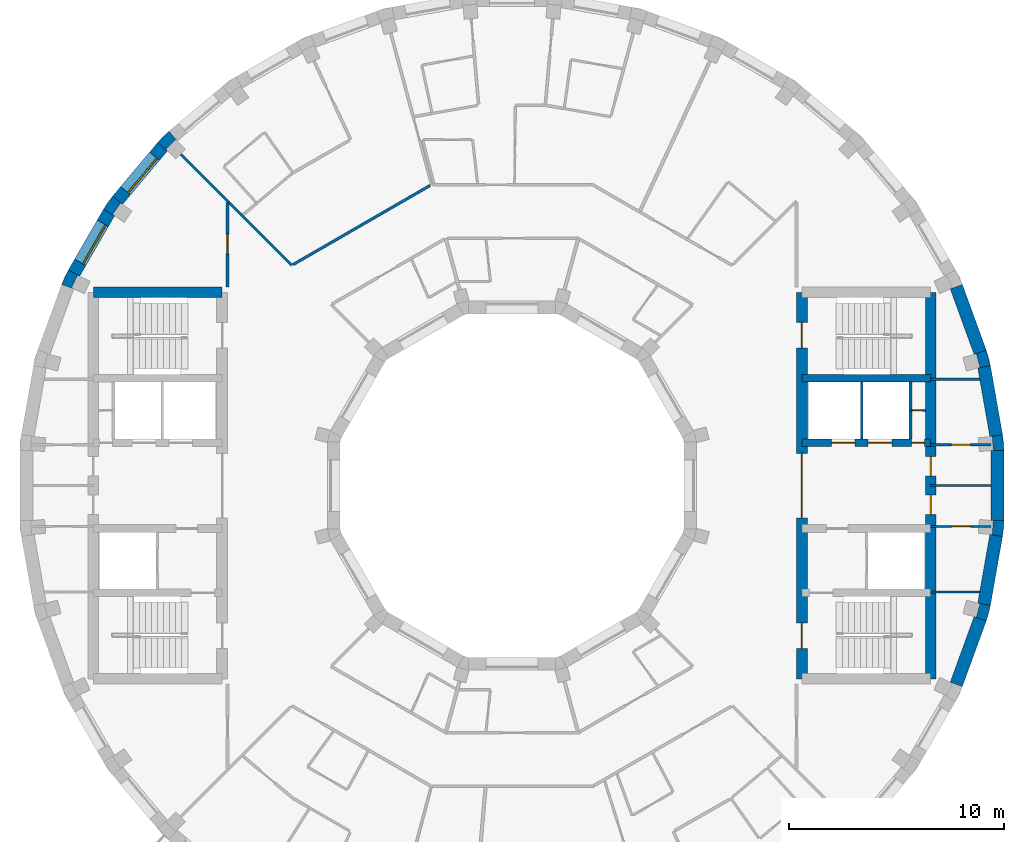
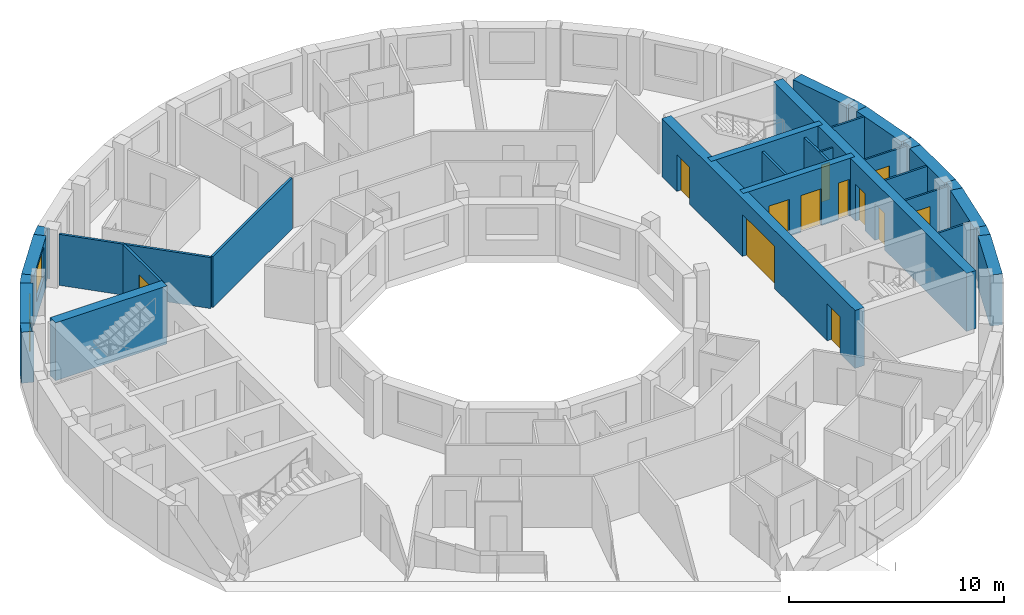
# One storey, part 8 of 12: 30 walls, 12 doors, 2 windows, 14 openings.
"""IFC4 building model written with IfcOpenShell, lengths in metres."""

from ifc_helpers import new_model, si_unit, direction, frame, frame_2d, origin, place, context, subcontext, project, spatial, polyline, rectangle, outline, extrude, material, layer, layer_set, type_object, element, fill, save


model = new_model("IFC4")

# Units and contexts
model_context = context("Model", 3, precision=1e-05, world=origin(), true_north=direction((0.0, 1.0)))
body_context = subcontext(model_context, "Body", "Model", "MODEL_VIEW")
ifc_project = project(units=[si_unit("LENGTHUNIT", "METRE"), si_unit("AREAUNIT", "SQUARE_METRE"), si_unit("VOLUMEUNIT", "CUBIC_METRE"), si_unit("PLANEANGLEUNIT", "RADIAN"), si_unit("MASSUNIT", "GRAM", prefix="KILO")], contexts=[model_context])

# Site, building, storey
site_placement = place(None, origin())
site = spatial("IfcSite", under=ifc_project, at=site_placement, CompositionType="ELEMENT")
building_placement = place(site_placement, origin())
building = spatial("IfcBuilding", under=site, at=building_placement, Name="Saqina Gate Tower", CompositionType="ELEMENT")
storey_placement = place(building_placement, frame((0.0, 0.0, 269.300048828125)))
storey = spatial("IfcBuildingStorey", under=building, at=storey_placement, Name="L77", CompositionType="ELEMENT", Elevation=269.300048828125)

# Walls
ifc_material_1 = material(Name="Brick masonry (buff)", Category="masonry")
wall_type_1 = type_object("IfcWallType", Name="BRICK PIER COPING BUFF", PredefinedType="SOLIDWALL", material=ifc_material_1)
wall_1_placement = place(storey_placement, origin())
element("IfcWall", 1, at=wall_1_placement, inside=storey, type_object=wall_type_1, Name="Pier cap L77 column 1", PredefinedType="SOLIDWALL", context=body_context, shape_type="SweptSolid", body=[
    extrude(outline(polyline([(22.91259765625, 1.625732421875), (22.8466796875, 2.377685546875), (22.255859375, 2.2734375), (22.361083984375, 2.28271484375), (22.417724609375, 1.635009765625), (22.3125, 1.625732421875), (22.91259765625, 1.625732421875)])), origin(), (0.0, 0.0, 1.0), 2.89990234375),
])
wall_2_placement = place(storey_placement, origin())
element("IfcWall", 2, at=wall_2_placement, inside=storey, type_object=wall_type_1, Name="Pier cap L77 column 2", PredefinedType="SOLIDWALL", context=body_context, shape_type="SweptSolid", body=[
    extrude(outline(polyline([(22.0869140625, 6.30859375), (21.52294921875, 6.103515625), (21.625, 6.130859375), (21.793212890625, 5.5029296875), (21.691162109375, 5.4755859375), (22.281982421875, 5.579833984375), (22.0869140625, 6.30859375)])), origin(), (0.0, 0.0, 1.0), 2.89990234375),
])
wall_3_placement = place(storey_placement, origin())
element("IfcWall", 3, at=wall_3_placement, inside=storey, type_object=wall_type_1, Name="Pier cap L77 column 14", PredefinedType="SOLIDWALL", context=body_context, shape_type="SweptSolid", body=[
    extrude(outline(polyline([(-16.5068359375, 15.973388671875), (-16.04736328125, 15.587646484375), (-16.1220703125, 15.662353515625), (-15.662353515625, 16.1220703125), (-15.587646484375, 16.04736328125), (-15.973388671875, 16.5068359375), (-16.5068359375, 15.973388671875)])), origin(), (0.0, 0.0, 1.0), 2.89990234375),
])
wall_4_placement = place(storey_placement, origin())
element("IfcWall", 4, at=wall_4_placement, inside=storey, type_object=wall_type_1, Name="Pier cap L77 column 15", PredefinedType="SOLIDWALL", context=body_context, shape_type="SweptSolid", body=[
    extrude(outline(polyline([(-19.02978515625, 12.8642578125), (-18.51025390625, 12.564208984375), (-18.596923828125, 12.625), (-18.22412109375, 13.157470703125), (-18.137451171875, 13.0966796875), (-18.59716796875, 13.482421875), (-19.02978515625, 12.8642578125)])), origin(), (0.0, 0.0, 1.0), 2.89990234375),
])
wall_5_placement = place(storey_placement, origin())
element("IfcWall", 5, at=wall_5_placement, inside=storey, type_object=wall_type_1, Name="Pier cap L77 column 16", PredefinedType="SOLIDWALL", context=body_context, shape_type="SweptSolid", body=[
    extrude(outline(polyline([(-20.65576171875, 10.048095703125), (-20.974609375, 9.3642578125), (-20.410888671875, 9.1591796875), (-20.506591796875, 9.203857421875), (-20.23193359375, 9.79296875), (-20.135986328125, 9.748291015625), (-20.65576171875, 10.048095703125)])), origin(), (0.0, 0.0, 1.0), 2.89990234375),
])
wall_6_placement = place(storey_placement, origin())
element("IfcWall", 6, at=wall_6_placement, inside=storey, type_object=wall_type_1, Name="Pier cap L77 column 35", PredefinedType="SOLIDWALL", context=body_context, shape_type="SweptSolid", body=[
    extrude(outline(polyline([(22.281982421875, -5.579833984375), (21.691162109375, -5.4755859375), (21.793212890625, -5.5029296875), (21.625, -6.130859375), (21.52294921875, -6.103515625), (22.0869140625, -6.30859375), (22.281982421875, -5.579833984375)])), origin(), (0.0, 0.0, 1.0), 2.89990234375),
])
wall_7_placement = place(storey_placement, origin())
element("IfcWall", 7, at=wall_7_placement, inside=storey, type_object=wall_type_1, Name="Pier cap L77 column 36", PredefinedType="SOLIDWALL", context=body_context, shape_type="SweptSolid", body=[
    extrude(outline(polyline([(22.8466796875, -2.377685546875), (22.91259765625, -1.625732421875), (22.3125, -1.625732421875), (22.417724609375, -1.635009765625), (22.361083984375, -2.28271484375), (22.255859375, -2.2734375), (22.8466796875, -2.377685546875)])), origin(), (0.0, 0.0, 1.0), 2.89990234375),
])

# Wall, opening, door
ifc_material_2 = material(Name="Gypsum board on steel studs", Category="steel")
ifc_layer_1 = layer(ifc_material_2, 0.10009765625)
ifc_layer_set_1 = layer_set([ifc_layer_1], Name="CORE PARTITION")
wall_type_2 = type_object("IfcWallType", Name="CORE PARTITION", PredefinedType="PARTITIONING", material=ifc_layer_set_1)
wall_8_placement = place(storey_placement, frame((18.56005859375, 3.5, 0.0), z_axis=(0.0, 0.0, 1.0), x_axis=(1.0, 0.0, 0.0)))
wall_8 = element("IfcWall", 8, at=wall_8_placement, inside=storey, type_object=wall_type_2, Name="L77-CP-E01", PredefinedType="PARTITIONING", context=body_context, shape_type="SweptSolid", body=[
    extrude(rectangle(XDim=0.68994140625, YDim=0.10009765625, at=frame_2d((0.344970703125, 0.0))), origin(), (0.0, 0.0, 1.0), 2.89990234375),
])
opening_1_placement = place(wall_8_placement, frame((0.10009765625, 0.0, 0.0)))
opening_1 = element("IfcOpeningElement", 9, at=opening_1_placement, cuts=wall_8, Name="Opening G23-D96", PredefinedType="OPENING", context=body_context, shape_type="SweptSolid", body=[
    extrude(rectangle(XDim=0.449951171875, YDim=2.10009765625, at=frame_2d((0.22509765625, 1.050048828125))), frame((0.0, 0.06201171875, 0.0), z_axis=(0.0, -1.0, 0.0), x_axis=(1.0, 0.0, 0.0)), (0.0, 0.0, 1.0), 0.1240234375),
])
ifc_material_3 = material(Name="Steel-framed fire door leaf, EI 60", Category="steel")
door_type_1 = type_object("IfcDoorType", Name="SERVICE ROOM DOOR 450", OperationType="SINGLE_SWING_LEFT", PredefinedType="DOOR", material=ifc_material_3)
door_1_placement = place(opening_1_placement, origin())
door_1 = element("IfcDoor", 10, at=door_1_placement, inside=storey, type_object=door_type_1, Name="L77-CD-E07", OperationType="SINGLE_SWING_RIGHT", OverallHeight=2.10009765625, OverallWidth=0.449951171875, PredefinedType="DOOR", context=body_context, shape_type="SweptSolid", body=[
    extrude(rectangle(XDim=0.449951171875, YDim=2.10009765625, at=frame_2d((0.22509765625, 1.050048828125))), frame((0.0, 0.02490234375, 0.0), z_axis=(0.0, -1.0, 0.0), x_axis=(1.0, 0.0, 0.0)), (0.0, 0.0, 1.0), 0.050048828125),
])
fill(opening_1, door_1)

# Wall
wall_9_placement = place(storey_placement, frame((19.5, 4.949951171875, 0.0), z_axis=(0.0, 0.0, 1.0), x_axis=(1.0, 0.0, 0.0)))
element("IfcWall", 11, at=wall_9_placement, inside=storey, type_object=wall_type_2, Name="L77-CP-E02", PredefinedType="PARTITIONING", context=body_context, shape_type="SweptSolid", body=[
    extrude(rectangle(XDim=2.283935546875, YDim=0.10009765625, at=frame_2d((1.14208984375, 0.0))), origin(), (0.0, 0.0, 1.0), 2.89990234375),
])

# Wall, opening, door
wall_10_placement = place(storey_placement, frame((19.5, 1.89990234375, 0.0), z_axis=(0.0, 0.0, 1.0), x_axis=(1.0, 0.0, 0.0)))
wall_10 = element("IfcWall", 12, at=wall_10_placement, inside=storey, type_object=wall_type_2, Name="L77-CP-E03", PredefinedType="PARTITIONING", context=body_context, shape_type="SweptSolid", body=[
    extrude(rectangle(XDim=2.8125, YDim=0.10009765625, at=frame_2d((1.40625, 0.0))), origin(), (0.0, 0.0, 1.0), 2.89990234375),
])
opening_2_placement = place(wall_10_placement, frame((0.956298828125, 0.0, 0.0)))
opening_2 = element("IfcOpeningElement", 13, at=opening_2_placement, cuts=wall_10, Name="Opening G23-D92", PredefinedType="OPENING", context=body_context, shape_type="SweptSolid", body=[
    extrude(rectangle(XDim=0.89990234375, YDim=2.10009765625, at=frame_2d((0.449951171875, 1.050048828125))), frame((0.0, 0.06201171875, 0.0), z_axis=(0.0, -1.0, 0.0), x_axis=(1.0, 0.0, 0.0)), (0.0, 0.0, 1.0), 0.1240234375),
])
ifc_material_4 = material(Name="Steel-framed fire door leaf, EI 60", Category="steel")
door_type_2 = type_object("IfcDoorType", Name="SERVICE ROOM DOOR 900", OperationType="SINGLE_SWING_LEFT", PredefinedType="DOOR", material=ifc_material_4)
door_2_placement = place(opening_2_placement, origin())
door_2 = element("IfcDoor", 14, at=door_2_placement, inside=storey, type_object=door_type_2, Name="L77-CD-E03", OperationType="SINGLE_SWING_RIGHT", OverallHeight=2.10009765625, OverallWidth=0.89990234375, PredefinedType="DOOR", context=body_context, shape_type="SweptSolid", body=[
    extrude(rectangle(XDim=0.89990234375, YDim=2.10009765625, at=frame_2d((0.449951171875, 1.050048828125))), frame((0.0, 0.02490234375, 0.0), z_axis=(0.0, -1.0, 0.0), x_axis=(1.0, 0.0, 0.0)), (0.0, 0.0, 1.0), 0.050048828125),
])
fill(opening_2, door_2)

# Wall
wall_11_placement = place(storey_placement, frame((19.5, -4.949951171875, 0.0), z_axis=(0.0, 0.0, 1.0), x_axis=(1.0, 0.0, 0.0)))
element("IfcWall", 15, at=wall_11_placement, inside=storey, type_object=wall_type_2, Name="L77-CP-E04", PredefinedType="PARTITIONING", context=body_context, shape_type="SweptSolid", body=[
    extrude(rectangle(XDim=2.283935546875, YDim=0.10009765625, at=frame_2d((1.14208984375, 0.0))), origin(), (0.0, 0.0, 1.0), 2.89990234375),
])

# Wall, opening, door
wall_12_placement = place(storey_placement, frame((19.5, -1.89990234375, 0.0), z_axis=(0.0, 0.0, 1.0), x_axis=(1.0, 0.0, 0.0)))
wall_12 = element("IfcWall", 16, at=wall_12_placement, inside=storey, type_object=wall_type_2, Name="L77-CP-E05", PredefinedType="PARTITIONING", context=body_context, shape_type="SweptSolid", body=[
    extrude(rectangle(XDim=2.8125, YDim=0.10009765625, at=frame_2d((1.40625, 0.0))), origin(), (0.0, 0.0, 1.0), 2.89990234375),
])
opening_3_placement = place(wall_12_placement, frame((0.956298828125, 0.0, 0.0)))
opening_3 = element("IfcOpeningElement", 17, at=opening_3_placement, cuts=wall_12, Name="Opening G23-D94", PredefinedType="OPENING", context=body_context, shape_type="SweptSolid", body=[
    extrude(rectangle(XDim=0.89990234375, YDim=2.10009765625, at=frame_2d((0.449951171875, 1.050048828125))), frame((0.0, 0.06201171875, 0.0), z_axis=(0.0, -1.0, 0.0), x_axis=(1.0, 0.0, 0.0)), (0.0, 0.0, 1.0), 0.1240234375),
])
door_3_placement = place(opening_3_placement, frame((0.89990234375, 0.0, 0.0), z_axis=(0.0, 0.0, 1.0), x_axis=(-1.0, 0.0, 0.0)))
door_3 = element("IfcDoor", 18, at=door_3_placement, inside=storey, type_object=door_type_2, Name="L77-CD-E05", OperationType="SINGLE_SWING_LEFT", OverallHeight=2.10009765625, OverallWidth=0.89990234375, PredefinedType="DOOR", context=body_context, shape_type="SweptSolid", body=[
    extrude(rectangle(XDim=0.89990234375, YDim=2.10009765625, at=frame_2d((0.449951171875, 1.050048828125))), frame((0.0, 0.02490234375, 0.0), z_axis=(0.0, -1.0, 0.0), x_axis=(1.0, 0.0, 0.0)), (0.0, 0.0, 1.0), 0.050048828125),
])
fill(opening_3, door_3)

# Wall
wall_13_placement = place(storey_placement, frame((19.5, 0.0, 0.0), z_axis=(0.0, 0.0, 1.0), x_axis=(1.0, 0.0, 0.0)))
element("IfcWall", 19, at=wall_13_placement, inside=storey, type_object=wall_type_2, Name="L77-CP-E06", PredefinedType="PARTITIONING", context=body_context, shape_type="SweptSolid", body=[
    extrude(rectangle(XDim=2.8125, YDim=0.10009765625, at=frame_2d((1.40625, 0.0))), origin(), (0.0, 0.0, 1.0), 2.89990234375),
])

# Wall, opening, window
ifc_material_5 = material(Name="Brick masonry (buff)", Category="masonry")
ifc_layer_2 = layer(ifc_material_5, 0.60009765625)
ifc_layer_set_2 = layer_set([ifc_layer_2], Name="FW-BRICK-BUFF")
wall_type_3 = type_object("IfcWallType", Name="FW-BRICK-BUFF", PredefinedType="SOLIDWALL", material=ifc_layer_set_2)
wall_14_placement = place(storey_placement, frame((-16.277099609375, 15.780517578125, 0.0), z_axis=(0.0, 0.0, 1.0), x_axis=(-0.64277291405, -0.766056773982, 0.0)))
wall_14 = element("IfcWall", 20, at=wall_14_placement, inside=storey, type_object=wall_type_3, Name="Facade wall L77 facet 14", PredefinedType="SOLIDWALL", context=body_context, shape_type="SweptSolid", body=[
    extrude(rectangle(XDim=3.251708984375, YDim=0.60009765625, at=frame_2d((1.6259765625, 0.0))), origin(), (0.0, 0.0, 1.0), 2.89990234375),
])
opening_4_placement = place(wall_14_placement, frame((0.57568359375, 0.0, 0.89990234375)))
opening_4 = element("IfcOpeningElement", 21, at=opening_4_placement, cuts=wall_14, Name="Opening G23-W12", PredefinedType="OPENING", context=body_context, shape_type="SweptSolid", body=[
    extrude(rectangle(XDim=2.10009765625, YDim=1.800048828125, at=frame_2d((1.050048828125, 0.89990234375))), frame((0.0, 0.31201171875, 0.0), z_axis=(0.0, -1.0, 0.0), x_axis=(1.0, 0.0, 0.0)), (0.0, 0.0, 1.0), 0.6240234375),
])
ifc_material_6 = material(Name="Aluminium glazing", Category="aluminium")
window_type = type_object("IfcWindowType", Name="WN-D", PartitioningType="SINGLE_PANEL", PredefinedType="WINDOW", material=ifc_material_6)
window_1_placement = place(opening_4_placement, origin())
window_1 = element("IfcWindow", 22, at=window_1_placement, inside=storey, type_object=window_type, Name="Window L77 facet 14", OverallHeight=1.800048828125, OverallWidth=2.10009765625, PartitioningType="SINGLE_PANEL", PredefinedType="WINDOW", context=body_context, shape_type="SweptSolid", body=[
    extrude(rectangle(XDim=2.10009765625, YDim=1.800048828125, at=frame_2d((1.050048828125, 0.89990234375))), frame((0.0, 0.179931640625, 0.0), z_axis=(0.0, -1.0, 0.0), x_axis=(1.0, 0.0, 0.0)), (0.0, 0.0, 1.0), 0.06005859375),
])
fill(opening_4, window_1)

wall_15_placement = place(storey_placement, frame((-18.77001953125, 12.71435546875, 0.0), z_axis=(0.0, 0.0, 1.0), x_axis=(-0.500014901547, -0.866016800201, 0.0)))
wall_15 = element("IfcWall", 23, at=wall_15_placement, inside=storey, type_object=wall_type_3, Name="Facade wall L77 facet 15", PredefinedType="SOLIDWALL", context=body_context, shape_type="SweptSolid", body=[
    extrude(rectangle(XDim=3.251953125, YDim=0.60009765625, at=frame_2d((1.6259765625, 0.0))), origin(), (0.0, 0.0, 1.0), 2.89990234375),
])
opening_5_placement = place(wall_15_placement, frame((0.57568359375, 0.0, 0.89990234375)))
opening_5 = element("IfcOpeningElement", 24, at=opening_5_placement, cuts=wall_15, Name="Opening G23-W13", PredefinedType="OPENING", context=body_context, shape_type="SweptSolid", body=[
    extrude(rectangle(XDim=2.10009765625, YDim=1.800048828125, at=frame_2d((1.050048828125, 0.89990234375))), frame((0.0, 0.31201171875, 0.0), z_axis=(0.0, -1.0, 0.0), x_axis=(1.0, 0.0, 0.0)), (0.0, 0.0, 1.0), 0.6240234375),
])
window_2_placement = place(opening_5_placement, origin())
window_2 = element("IfcWindow", 25, at=window_2_placement, inside=storey, type_object=window_type, Name="Window L77 facet 15", OverallHeight=1.800048828125, OverallWidth=2.10009765625, PartitioningType="SINGLE_PANEL", PredefinedType="WINDOW", context=body_context, shape_type="SweptSolid", body=[
    extrude(rectangle(XDim=2.10009765625, YDim=1.800048828125, at=frame_2d((1.050048828125, 0.89990234375))), frame((0.0, 0.179931640625, 0.0), z_axis=(0.0, -1.0, 0.0), x_axis=(1.0, 0.0, 0.0)), (0.0, 0.0, 1.0), 0.06005859375),
])
fill(opening_5, window_2)

# Walls
ifc_material_7 = material(Name="Glazed ceramic tile", Category="ceramic")
ifc_layer_3 = layer(ifc_material_7, 0.60009765625)
ifc_layer_set_3 = layer_set([ifc_layer_3], Name="FW-TILE")
wall_type_4 = type_object("IfcWallType", Name="FW-TILE", PredefinedType="SOLIDWALL", material=ifc_layer_set_3)
for number, where, z_axis, x_axis, name in (
    (26, (21.804931640625, 6.2060546875, 0.0), (0.0, 0.0, 1.0), (-0.342056509473, 0.939679383794, 0.0), "Facade wall L77 facet 2"),
    (27, (20.692626953125, -9.26171875, 0.0), (0.0, 0.0, 1.0), (0.342056509473, 0.939679383794, 0.0), "Facade wall L77 facet 34"),
):
    element("IfcWall", number, at=place(storey_placement, frame(where, z_axis=z_axis, x_axis=x_axis)), inside=storey, type_object=wall_type_4, Name=name, PredefinedType="SOLIDWALL", context=body_context, shape_type="SweptSolid", body=[
        extrude(rectangle(XDim=3.251708984375, YDim=0.60009765625, at=frame_2d((1.6259765625, 0.0))), origin(), (0.0, 0.0, 1.0), 2.89990234375),
    ])
wall_16_placement = place(storey_placement, frame((22.612548828125, -1.625732421875, 0.0), z_axis=(0.0, 0.0, 1.0), x_axis=(0.0, 1.0, 0.0)))
element("IfcWall", 28, at=wall_16_placement, inside=storey, type_object=wall_type_4, Name="Facade wall L77 facet 36", PredefinedType="SOLIDWALL", context=body_context, shape_type="SweptSolid", body=[
    extrude(rectangle(XDim=3.25146484375, YDim=0.60009765625, at=frame_2d((1.625732421875, 0.0))), origin(), (0.0, 0.0, 1.0), 2.89990234375),
])
ifc_material_8 = material(Name="Glazed ceramic tile (dark blue)", Category="ceramic")
ifc_layer_4 = layer(ifc_material_8, 0.60009765625)
ifc_layer_set_4 = layer_set([ifc_layer_4], Name="FW-TILE-CB")
wall_type_5 = type_object("IfcWallType", Name="FW-TILE-CB", PredefinedType="SOLIDWALL", material=ifc_layer_set_4)
wall_17_placement = place(storey_placement, frame((22.55126953125, 2.325439453125, 0.0), z_axis=(0.0, 0.0, 1.0), x_axis=(-0.173656842178, 0.984806225186, 0.0)))
element("IfcWall", 29, at=wall_17_placement, inside=storey, type_object=wall_type_5, Name="Facade wall L77 facet 1", PredefinedType="SOLIDWALL", context=body_context, shape_type="SweptSolid", body=[
    extrude(rectangle(XDim=3.251708984375, YDim=0.60009765625, at=frame_2d((1.6259765625, 0.0))), origin(), (0.0, 0.0, 1.0), 2.89990234375),
])
ifc_material_9 = material(Name="Glazed ceramic tile (white)", Category="ceramic")
ifc_layer_5 = layer(ifc_material_9, 0.60009765625)
ifc_layer_set_5 = layer_set([ifc_layer_5], Name="FW-TILE-WH")
wall_type_6 = type_object("IfcWallType", Name="FW-TILE-WH", PredefinedType="SOLIDWALL", material=ifc_layer_set_5)
wall_18_placement = place(storey_placement, frame((21.986572265625, -5.52783203125, 0.0), z_axis=(0.0, 0.0, 1.0), x_axis=(0.173656842178, 0.984806225186, 0.0)))
element("IfcWall", 30, at=wall_18_placement, inside=storey, type_object=wall_type_6, Name="Facade wall L77 facet 35", PredefinedType="SOLIDWALL", context=body_context, shape_type="SweptSolid", body=[
    extrude(rectangle(XDim=3.251708984375, YDim=0.60009765625, at=frame_2d((1.6259765625, 0.0))), origin(), (0.0, 0.0, 1.0), 2.89990234375),
])
ifc_material_10 = material(Name="Gypsum board on steel studs, 125 mm, fire rated", Category="steel")
ifc_layer_6 = layer(ifc_material_10, 0.125)
ifc_layer_set_6 = layer_set([ifc_layer_6], Name="PARTITION EI 30 125")
wall_type_7 = type_object("IfcWallType", Name="PARTITION EI 30 125", PredefinedType="PARTITIONING", material=ifc_layer_set_6)
wall_19_placement = place(storey_placement, frame((-15.425537109375, 15.425537109375, 0.0), z_axis=(0.0, 0.0, 1.0), x_axis=(0.707106781187, -0.707106781187, 0.0)))
element("IfcWall", 31, at=wall_19_placement, inside=storey, type_object=wall_type_7, Name="PARTITION PW1-07", PredefinedType="PARTITIONING", context=body_context, shape_type="SweptSolid", body=[
    extrude(rectangle(XDim=7.310791015625, YDim=0.125, at=frame_2d((3.6552734375, 0.0))), origin(), (0.0, 0.0, 1.0), 2.89990234375),
])
wall_20_placement = place(storey_placement, frame((-10.201904296875, 10.287353515625, 0.0), z_axis=(0.0, 0.0, 1.0), x_axis=(0.866028642731, 0.499994389938, 0.0)))
element("IfcWall", 32, at=wall_20_placement, inside=storey, type_object=wall_type_7, Name="PARTITION PW1-29", PredefinedType="PARTITIONING", context=body_context, shape_type="SweptSolid", body=[
    extrude(rectangle(XDim=7.3828125, YDim=0.125, at=frame_2d((3.69140625, 0.0))), origin(), (0.0, 0.0, 1.0), 2.89990234375),
])

# Wall, opening, door
wall_21_placement = place(storey_placement, frame((-13.25, 9.25, 0.0), z_axis=(0.0, 0.0, 1.0), x_axis=(0.0, 1.0, 0.0)))
wall_21 = element("IfcWall", 33, at=wall_21_placement, inside=storey, type_object=wall_type_7, Name="PARTITION PW1-42", PredefinedType="PARTITIONING", context=body_context, shape_type="SweptSolid", body=[
    extrude(rectangle(XDim=3.9375, YDim=0.125, at=frame_2d((1.96875, 0.0))), origin(), (0.0, 0.0, 1.0), 2.89990234375),
])
opening_6_placement = place(wall_21_placement, frame((1.550048828125, 0.0, 0.0)))
opening_6 = element("IfcOpeningElement", 34, at=opening_6_placement, cuts=wall_21, Name="Opening G23-D20", PredefinedType="OPENING", context=body_context, shape_type="SweptSolid", body=[
    extrude(rectangle(XDim=0.89990234375, YDim=2.10009765625, at=frame_2d((0.449951171875, 1.050048828125))), frame((0.0, 0.074462890625, 0.0), z_axis=(0.0, -1.0, 0.0), x_axis=(1.0, 0.0, 0.0)), (0.0, 0.0, 1.0), 0.14892578125),
])
ifc_material_11 = material(Name="Fire door leaf EI 30, 900 mm")
door_type_3 = type_object("IfcDoorType", Name="DOOR 900 EI 30", OperationType="SINGLE_SWING_LEFT", PredefinedType="DOOR", material=ifc_material_11)
door_4_placement = place(opening_6_placement, origin())
door_4 = element("IfcDoor", 35, at=door_4_placement, inside=storey, type_object=door_type_3, Name="DOOR G23-D20", OperationType="SINGLE_SWING_RIGHT", OverallHeight=2.10009765625, OverallWidth=0.89990234375, PredefinedType="DOOR", context=body_context, shape_type="SweptSolid", body=[
    extrude(rectangle(XDim=0.89990234375, YDim=2.10009765625, at=frame_2d((0.449951171875, 1.050048828125))), frame((0.0, 0.02490234375, 0.0), z_axis=(0.0, -1.0, 0.0), x_axis=(1.0, 0.0, 0.0)), (0.0, 0.0, 1.0), 0.050048828125),
])
fill(opening_6, door_4)

# Walls
ifc_material_12 = material(Name="Autoclaved aerated concrete block", Category="concrete")
ifc_layer_7 = layer(ifc_material_12, 0.1201171875)
ifc_layer_set_7 = layer_set([ifc_layer_7], Name="SHAFT PARTITION")
wall_type_8 = type_object("IfcWallType", Name="SHAFT PARTITION", PredefinedType="PARTITIONING", material=ifc_layer_set_7)
for number, where, z_axis, x_axis, name in (
    (36, (16.280029296875, 2.175048828125, 0.0), (0.0, 0.0, 1.0), (0.0, 1.0, 0.0), "L77-CP-E07"),
    (37, (18.56005859375, 2.175048828125, 0.0), (0.0, 0.0, 1.0), (0.0, 1.0, 0.0), "L77-CP-E08"),
):
    element("IfcWall", number, at=place(storey_placement, frame(where, z_axis=z_axis, x_axis=x_axis)), inside=storey, type_object=wall_type_8, Name=name, PredefinedType="PARTITIONING", context=body_context, shape_type="SweptSolid", body=[
        extrude(rectangle(XDim=2.64990234375, YDim=0.1201171875, at=frame_2d((1.324951171875, 0.0))), origin(), (0.0, 0.0, 1.0), 2.89990234375),
    ])
ifc_material_13 = material(Name="Concrete C60/75", Category="concrete")
ifc_layer_8 = layer(ifc_material_13, 0.35009765625)
ifc_layer_set_8 = layer_set([ifc_layer_8], Name="Concrete C60/75")
wall_type_9 = type_object("IfcWallType", Name="STR-CORE WALL-D-I", PredefinedType="SHEAR", material=ifc_layer_set_8)
wall_22_placement = place(storey_placement, frame((13.5, 5.0, 0.0), z_axis=(0.0, 0.0, 1.0), x_axis=(1.0, 0.0, 0.0)))
element("IfcWall", 38, at=wall_22_placement, inside=storey, type_object=wall_type_9, Name="CORE WALL L77 E-X1", PredefinedType="SHEAR", context=body_context, shape_type="SweptSolid", body=[
    extrude(rectangle(XDim=6.0, YDim=0.35009765625, at=frame_2d((3.0, 0.0))), origin(), (0.0, 0.0, 1.0), 3.300048828125),
])

# Wall, openings, doors
wall_23_placement = place(storey_placement, frame((13.5, 2.0, 0.0), z_axis=(0.0, 0.0, 1.0), x_axis=(1.0, 0.0, 0.0)))
wall_23 = element("IfcWall", 39, at=wall_23_placement, inside=storey, type_object=wall_type_9, Name="CORE WALL L77 E-L1", PredefinedType="SHEAR", context=body_context, shape_type="SweptSolid", body=[
    extrude(rectangle(XDim=6.0, YDim=0.35009765625, at=frame_2d((3.0, 0.0))), origin(), (0.0, 0.0, 1.0), 3.300048828125),
])
opening_7_placement = place(wall_23_placement, frame((1.3701171875, 0.0, 0.0)))
opening_7 = element("IfcOpeningElement", 40, at=opening_7_placement, cuts=wall_23, Name="Opening G23-LD1", PredefinedType="OPENING", context=body_context, shape_type="SweptSolid", body=[
    extrude(rectangle(XDim=1.10009765625, YDim=2.10009765625, at=frame_2d((0.550048828125, 1.050048828125))), frame((0.0, 0.18701171875, 0.0), z_axis=(0.0, -1.0, 0.0), x_axis=(1.0, 0.0, 0.0)), (0.0, 0.0, 1.0), 0.3740234375),
])
opening_8_placement = place(wall_23_placement, frame((3.090087890625, 0.0, 0.0)))
opening_8 = element("IfcOpeningElement", 41, at=opening_8_placement, cuts=wall_23, Name="Opening G23-LD2", PredefinedType="OPENING", context=body_context, shape_type="SweptSolid", body=[
    extrude(rectangle(XDim=1.10009765625, YDim=2.10009765625, at=frame_2d((0.550048828125, 1.050048828125))), frame((0.0, 0.18701171875, 0.0), z_axis=(0.0, -1.0, 0.0), x_axis=(1.0, 0.0, 0.0)), (0.0, 0.0, 1.0), 0.3740234375),
])
opening_9_placement = place(wall_23_placement, frame((5.10498046875, 0.0, 0.0)))
opening_9 = element("IfcOpeningElement", 42, at=opening_9_placement, cuts=wall_23, Name="Opening G23-D90", PredefinedType="OPENING", context=body_context, shape_type="SweptSolid", body=[
    extrude(rectangle(XDim=0.60009765625, YDim=2.10009765625, at=frame_2d((0.300048828125, 1.050048828125))), frame((0.0, 0.18701171875, 0.0), z_axis=(0.0, -1.0, 0.0), x_axis=(1.0, 0.0, 0.0)), (0.0, 0.0, 1.0), 0.3740234375),
])
ifc_material_14 = material(Name="Stainless steel", Category="steel")
door_type_4 = type_object("IfcDoorType", Name="LANDING DOOR", OperationType="DOUBLE_DOOR_SLIDING", PredefinedType="DOOR", material=ifc_material_14)
door_5_placement = place(opening_7_placement, origin())
door_5 = element("IfcDoor", 43, at=door_5_placement, inside=storey, type_object=door_type_4, Name="LANDING DOOR HR1", OperationType="DOUBLE_DOOR_SLIDING", OverallHeight=2.10009765625, OverallWidth=1.10009765625, PredefinedType="DOOR", context=body_context, shape_type="SweptSolid", body=[
    extrude(rectangle(XDim=1.10009765625, YDim=2.10009765625, at=frame_2d((0.550048828125, 1.050048828125))), frame((0.0, 0.02490234375, 0.0), z_axis=(0.0, -1.0, 0.0), x_axis=(1.0, 0.0, 0.0)), (0.0, 0.0, 1.0), 0.050048828125),
])
fill(opening_7, door_5)
door_6_placement = place(opening_8_placement, origin())
door_6 = element("IfcDoor", 44, at=door_6_placement, inside=storey, type_object=door_type_4, Name="LANDING DOOR HR2", OperationType="DOUBLE_DOOR_SLIDING", OverallHeight=2.10009765625, OverallWidth=1.10009765625, PredefinedType="DOOR", context=body_context, shape_type="SweptSolid", body=[
    extrude(rectangle(XDim=1.10009765625, YDim=2.10009765625, at=frame_2d((0.550048828125, 1.050048828125))), frame((0.0, 0.02490234375, 0.0), z_axis=(0.0, -1.0, 0.0), x_axis=(1.0, 0.0, 0.0)), (0.0, 0.0, 1.0), 0.050048828125),
])
fill(opening_8, door_6)
ifc_material_15 = material(Name="Steel-framed fire door leaf, EI 60", Category="steel")
door_type_5 = type_object("IfcDoorType", Name="SERVICE ROOM DOOR 600", OperationType="SINGLE_SWING_LEFT", PredefinedType="DOOR", material=ifc_material_15)
door_7_placement = place(opening_9_placement, origin())
door_7 = element("IfcDoor", 45, at=door_7_placement, inside=storey, type_object=door_type_5, Name="L77-CD-E01", OperationType="SINGLE_SWING_RIGHT", OverallHeight=2.10009765625, OverallWidth=0.60009765625, PredefinedType="DOOR", context=body_context, shape_type="SweptSolid", body=[
    extrude(rectangle(XDim=0.60009765625, YDim=2.10009765625, at=frame_2d((0.300048828125, 1.050048828125))), frame((0.0, 0.02490234375, 0.0), z_axis=(0.0, -1.0, 0.0), x_axis=(1.0, 0.0, 0.0)), (0.0, 0.0, 1.0), 0.050048828125),
])
fill(opening_9, door_7)

ifc_material_16 = material(Name="Concrete C60/75", Category="concrete")
ifc_layer_9 = layer(ifc_material_16, 0.5)
ifc_layer_set_9 = layer_set([ifc_layer_9], Name="Concrete C60/75")
wall_type_10 = type_object("IfcWallType", Name="STR-CORE WALL-D-O", PredefinedType="SHEAR", material=ifc_layer_set_9)
wall_24_placement = place(storey_placement, frame((13.5, -9.0, 0.0), z_axis=(0.0, 0.0, 1.0), x_axis=(0.0, 1.0, 0.0)))
wall_24 = element("IfcWall", 46, at=wall_24_placement, inside=storey, type_object=wall_type_10, Name="CORE WALL L77 E-W1", PredefinedType="SHEAR", context=body_context, shape_type="SweptSolid", body=[
    extrude(rectangle(XDim=18.0, YDim=0.5, at=frame_2d((9.0, 0.0))), origin(), (0.0, 0.0, 1.0), 3.300048828125),
])
opening_10_placement = place(wall_24_placement, frame((15.39990234375, 0.0, 0.0)))
opening_10 = element("IfcOpeningElement", 47, at=opening_10_placement, cuts=wall_24, Name="Opening G23-D98", PredefinedType="OPENING", context=body_context, shape_type="SweptSolid", body=[
    extrude(rectangle(XDim=1.199951171875, YDim=2.10009765625, at=frame_2d((0.60009765625, 1.050048828125))), frame((0.0, 0.261962890625, 0.0), z_axis=(0.0, -1.0, 0.0), x_axis=(1.0, 0.0, 0.0)), (0.0, 0.0, 1.0), 0.52392578125),
])
opening_11_placement = place(wall_24_placement, frame((1.39990234375, 0.0, 0.0)))
opening_11 = element("IfcOpeningElement", 48, at=opening_11_placement, cuts=wall_24, Name="Opening G23-D99", PredefinedType="OPENING", context=body_context, shape_type="SweptSolid", body=[
    extrude(rectangle(XDim=1.199951171875, YDim=2.10009765625, at=frame_2d((0.60009765625, 1.050048828125))), frame((0.0, 0.261962890625, 0.0), z_axis=(0.0, -1.0, 0.0), x_axis=(1.0, 0.0, 0.0)), (0.0, 0.0, 1.0), 0.52392578125),
])
opening_12_placement = place(wall_24_placement, frame((7.5, 0.0, 0.0)))
opening_12 = element("IfcOpeningElement", 49, at=opening_12_placement, cuts=wall_24, Name="Opening G23-D100", PredefinedType="OPENING", context=body_context, shape_type="SweptSolid", body=[
    extrude(rectangle(XDim=3.0, YDim=2.39990234375, at=frame_2d((1.5, 1.199951171875))), frame((0.0, 0.261962890625, 0.0), z_axis=(0.0, -1.0, 0.0), x_axis=(1.0, 0.0, 0.0)), (0.0, 0.0, 1.0), 0.52392578125),
])
ifc_material_17 = material(Name="Steel", Category="steel")
door_type_6 = type_object("IfcDoorType", Name="FIRE DOOR EI 60", OperationType="SINGLE_SWING_LEFT", PredefinedType="DOOR", material=ifc_material_17)
door_8_placement = place(opening_10_placement, frame((1.199951171875, 0.0, 0.0), z_axis=(0.0, 0.0, 1.0), x_axis=(-1.0, 0.0, 0.0)))
door_8 = element("IfcDoor", 50, at=door_8_placement, inside=storey, type_object=door_type_6, Name="L77-CD-E09", OperationType="SINGLE_SWING_LEFT", OverallHeight=2.10009765625, OverallWidth=1.199951171875, PredefinedType="DOOR", context=body_context, shape_type="SweptSolid", body=[
    extrude(rectangle(XDim=1.199951171875, YDim=2.10009765625, at=frame_2d((0.60009765625, 1.050048828125))), frame((0.0, 0.02490234375, 0.0), z_axis=(0.0, -1.0, 0.0), x_axis=(1.0, 0.0, 0.0)), (0.0, 0.0, 1.0), 0.050048828125),
])
fill(opening_10, door_8)
door_9_placement = place(opening_11_placement, frame((1.199951171875, 0.0, 0.0), z_axis=(0.0, 0.0, 1.0), x_axis=(-1.0, 0.0, 0.0)))
door_9 = element("IfcDoor", 51, at=door_9_placement, inside=storey, type_object=door_type_6, Name="L77-CD-E10", OperationType="SINGLE_SWING_RIGHT", OverallHeight=2.10009765625, OverallWidth=1.199951171875, PredefinedType="DOOR", context=body_context, shape_type="SweptSolid", body=[
    extrude(rectangle(XDim=1.199951171875, YDim=2.10009765625, at=frame_2d((0.60009765625, 1.050048828125))), frame((0.0, 0.02490234375, 0.0), z_axis=(0.0, -1.0, 0.0), x_axis=(1.0, 0.0, 0.0)), (0.0, 0.0, 1.0), 0.050048828125),
])
fill(opening_11, door_9)
ifc_material_18 = material(Name="Steel and fire-resisting glass", Category="steel")
door_type_7 = type_object("IfcDoorType", Name="LOBBY SCREEN DOOR", OperationType="DOUBLE_DOOR_SLIDING", PredefinedType="DOOR", material=ifc_material_18)
door_10_placement = place(opening_12_placement, origin())
door_10 = element("IfcDoor", 52, at=door_10_placement, inside=storey, type_object=door_type_7, Name="L77-CD-E11", OperationType="DOUBLE_DOOR_SLIDING", OverallHeight=2.39990234375, OverallWidth=3.0, PredefinedType="DOOR", context=body_context, shape_type="SweptSolid", body=[
    extrude(rectangle(XDim=3.0, YDim=2.39990234375, at=frame_2d((1.5, 1.199951171875))), frame((0.0, 0.02490234375, 0.0), z_axis=(0.0, -1.0, 0.0), x_axis=(1.0, 0.0, 0.0)), (0.0, 0.0, 1.0), 0.050048828125),
])
fill(opening_12, door_10)

wall_25_placement = place(storey_placement, frame((19.5, -9.0, 0.0), z_axis=(0.0, 0.0, 1.0), x_axis=(0.0, 1.0, 0.0)))
wall_25 = element("IfcWall", 53, at=wall_25_placement, inside=storey, type_object=wall_type_10, Name="CORE WALL L77 E-W2", PredefinedType="SHEAR", context=body_context, shape_type="SweptSolid", body=[
    extrude(rectangle(XDim=18.0, YDim=0.5, at=frame_2d((9.0, 0.0))), origin(), (0.0, 0.0, 1.0), 3.300048828125),
])
opening_13_placement = place(wall_25_placement, frame((9.449951171875, 0.0, 0.0)))
opening_13 = element("IfcOpeningElement", 54, at=opening_13_placement, cuts=wall_25, Name="Opening G23-D93", PredefinedType="OPENING", context=body_context, shape_type="SweptSolid", body=[
    extrude(rectangle(XDim=0.89990234375, YDim=2.10009765625, at=frame_2d((0.449951171875, 1.050048828125))), frame((0.0, 0.261962890625, 0.0), z_axis=(0.0, -1.0, 0.0), x_axis=(1.0, 0.0, 0.0)), (0.0, 0.0, 1.0), 0.52392578125),
])
opening_14_placement = place(wall_25_placement, frame((7.64990234375, 0.0, 0.0)))
opening_14 = element("IfcOpeningElement", 55, at=opening_14_placement, cuts=wall_25, Name="Opening G23-D95", PredefinedType="OPENING", context=body_context, shape_type="SweptSolid", body=[
    extrude(rectangle(XDim=0.89990234375, YDim=2.10009765625, at=frame_2d((0.449951171875, 1.050048828125))), frame((0.0, 0.261962890625, 0.0), z_axis=(0.0, -1.0, 0.0), x_axis=(1.0, 0.0, 0.0)), (0.0, 0.0, 1.0), 0.52392578125),
])
door_11_placement = place(opening_13_placement, frame((0.89990234375, 0.0, 0.0), z_axis=(0.0, 0.0, 1.0), x_axis=(-1.0, 0.0, 0.0)))
door_11 = element("IfcDoor", 56, at=door_11_placement, inside=storey, type_object=door_type_2, Name="L77-CD-E04", OperationType="SINGLE_SWING_LEFT", OverallHeight=2.10009765625, OverallWidth=0.89990234375, PredefinedType="DOOR", context=body_context, shape_type="SweptSolid", body=[
    extrude(rectangle(XDim=0.89990234375, YDim=2.10009765625, at=frame_2d((0.449951171875, 1.050048828125))), frame((0.0, 0.02490234375, 0.0), z_axis=(0.0, -1.0, 0.0), x_axis=(1.0, 0.0, 0.0)), (0.0, 0.0, 1.0), 0.050048828125),
])
fill(opening_13, door_11)
door_12_placement = place(opening_14_placement, frame((0.89990234375, 0.0, 0.0), z_axis=(0.0, 0.0, 1.0), x_axis=(-1.0, 0.0, 0.0)))
door_12 = element("IfcDoor", 57, at=door_12_placement, inside=storey, type_object=door_type_2, Name="L77-CD-E06", OperationType="SINGLE_SWING_RIGHT", OverallHeight=2.10009765625, OverallWidth=0.89990234375, PredefinedType="DOOR", context=body_context, shape_type="SweptSolid", body=[
    extrude(rectangle(XDim=0.89990234375, YDim=2.10009765625, at=frame_2d((0.449951171875, 1.050048828125))), frame((0.0, 0.02490234375, 0.0), z_axis=(0.0, -1.0, 0.0), x_axis=(1.0, 0.0, 0.0)), (0.0, 0.0, 1.0), 0.050048828125),
])
fill(opening_14, door_12)

# Wall
wall_26_placement = place(storey_placement, frame((-13.5, 9.0, 0.0), z_axis=(0.0, 0.0, 1.0), x_axis=(-1.0, 0.0, 0.0)))
element("IfcWall", 58, at=wall_26_placement, inside=storey, type_object=wall_type_10, Name="CORE WALL L77 W-NE", PredefinedType="SHEAR", context=body_context, shape_type="SweptSolid", body=[
    extrude(rectangle(XDim=6.0, YDim=0.5, at=frame_2d((3.0, 0.0))), origin(), (0.0, 0.0, 1.0), 3.300048828125),
])

save(model, "model.ifc")
